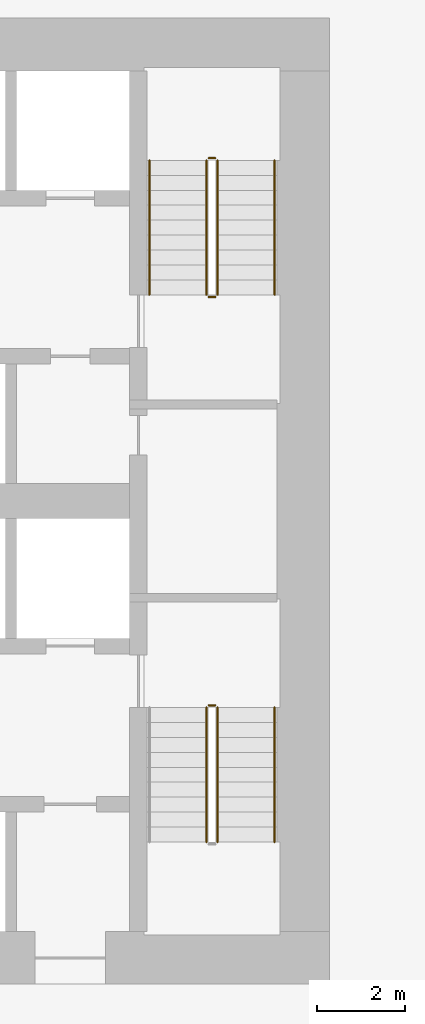
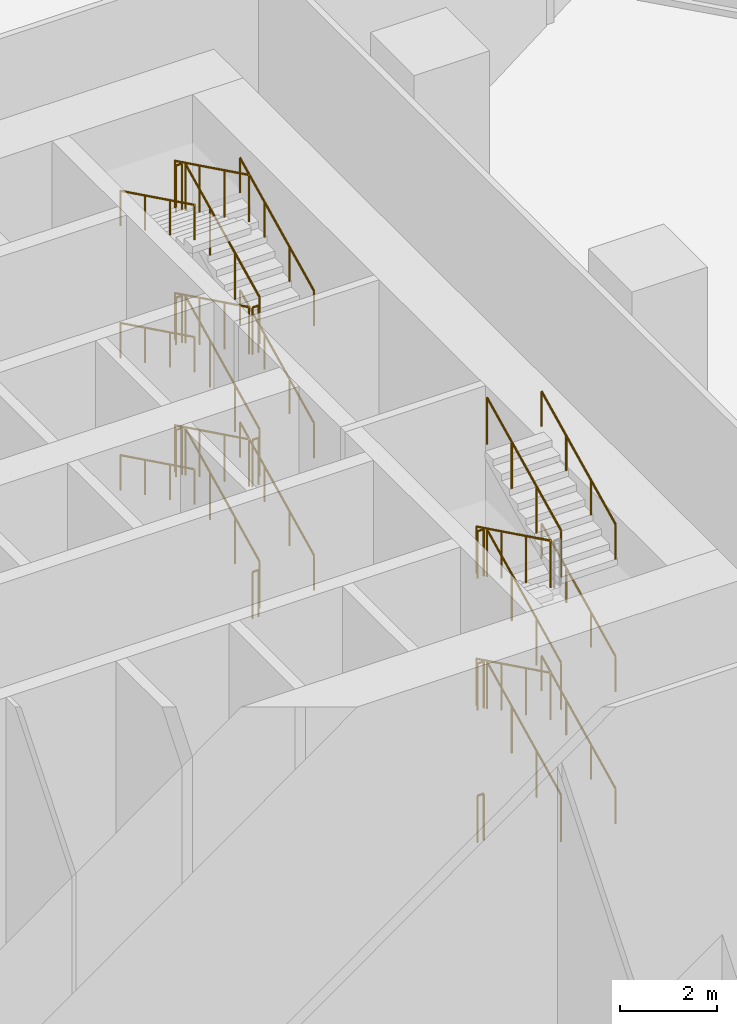
# One storey, part 21 of 21: 29 railings.
"""IFC4 building model written with IfcOpenShell, lengths in metres."""

from ifc_helpers import new_model, si_unit, direction, frame, origin, origin_2d, place, context, subcontext, project, spatial, circle, extrude, material, type_object, element, save


model = new_model("IFC4")

# Units and contexts
model_context = context("Model", 3, precision=1e-05, world=origin(), true_north=direction((0.0, 1.0)))
body_context = subcontext(model_context, "Body", "Model", "MODEL_VIEW")
ifc_project = project(units=[si_unit("LENGTHUNIT", "METRE"), si_unit("AREAUNIT", "SQUARE_METRE"), si_unit("VOLUMEUNIT", "CUBIC_METRE"), si_unit("PLANEANGLEUNIT", "RADIAN"), si_unit("MASSUNIT", "GRAM", prefix="KILO")], contexts=[model_context])

# Site, building, storey
site_placement = place(None, origin())
site = spatial("IfcSite", under=ifc_project, at=site_placement, CompositionType="ELEMENT")
building_placement = place(site_placement, origin())
building = spatial("IfcBuilding", under=site, at=building_placement, Name="Dongbaek Canopy Tower", CompositionType="ELEMENT")
storey_placement = place(building_placement, frame((0.0, 0.0, 9.0)))
storey = spatial("IfcBuildingStorey", under=building, at=storey_placement, Name="L01", CompositionType="ELEMENT", Elevation=9.0)

# Railings
ifc_material_1 = material(Name="Stainless steel tube and balusters", Category="steel")
railing_type_1 = type_object("IfcRailingType", Name="Stair guard 1200", PredefinedType="GUARDRAIL", material=ifc_material_1)
railing_1_placement = place(storey_placement, frame((11.449951171875, 4.699951171875, 0.166748046875)))
element("IfcRailing", 1, at=railing_1_placement, inside=storey, type_object=railing_type_1, Name="L01 ST-A stair guard 1", PredefinedType="GUARDRAIL", context=body_context, shape_type="SweptSolid", body=[
    extrude(circle(Radius=0.02392578125, at=origin_2d()), frame((0.0, 0.0, 1.17578125), z_axis=(0.0, 0.897924053718, 0.440150421736), x_axis=(-1.0, 0.0, 0.0)), (0.0, 0.0, 1.0), 3.407958984375),
    extrude(circle(Radius=0.02099609375, at=origin_2d()), origin(), (0.0, 0.0, 1.0), 1.15185546875),
    extrude(circle(Radius=0.02099609375, at=origin_2d()), frame((0.0, 1.02001953125, 0.5)), (0.0, 0.0, 1.0), 1.15185546875),
    extrude(circle(Radius=0.02099609375, at=origin_2d()), frame((0.0, 2.0400390625, 1.0)), (0.0, 0.0, 1.0), 1.15185546875),
    extrude(circle(Radius=0.02099609375, at=origin_2d()), frame((0.0, 3.06005859375, 1.5)), (0.0, 0.0, 1.0), 1.15185546875),
])
railing_2_placement = place(storey_placement, frame((11.39990234375, 7.81005859375, 1.666748046875)))
element("IfcRailing", 2, at=railing_2_placement, inside=storey, type_object=railing_type_1, Name="L01 ST-A stair guard 2", PredefinedType="GUARDRAIL", context=body_context, shape_type="SweptSolid", body=[
    extrude(circle(Radius=0.02392578125, at=origin_2d()), frame((0.0, 0.0, 1.17578125), z_axis=(-1.0, 0.0, 0.0), x_axis=(0.0, -1.0, 0.0)), (0.0, 0.0, 1.0), 0.14990234375),
    extrude(circle(Radius=0.02099609375, at=origin_2d()), origin(), (0.0, 0.0, 1.0), 1.15185546875),
    extrude(circle(Radius=0.02099609375, at=origin_2d()), frame((-0.14990234375, 0.0, 0.0)), (0.0, 0.0, 1.0), 1.15185546875),
])
railing_3_placement = place(storey_placement, frame((11.199951171875, 7.760009765625, 1.833251953125)))
element("IfcRailing", 3, at=railing_3_placement, inside=storey, type_object=railing_type_1, Name="L01 ST-A stair guard 3", PredefinedType="GUARDRAIL", context=body_context, shape_type="SweptSolid", body=[
    extrude(circle(Radius=0.02392578125, at=origin_2d()), frame((0.0, 0.0, 1.17578125), z_axis=(0.0, -0.897924053718, 0.440150421736), x_axis=(1.0, 0.0, 0.0)), (0.0, 0.0, 1.0), 3.407958984375),
    extrude(circle(Radius=0.02099609375, at=origin_2d()), origin(), (0.0, 0.0, 1.0), 1.15185546875),
    extrude(circle(Radius=0.02099609375, at=origin_2d()), frame((0.0, -1.02001953125, 0.5)), (0.0, 0.0, 1.0), 1.15185546875),
    extrude(circle(Radius=0.02099609375, at=origin_2d()), frame((0.0, -2.0400390625, 1.0)), (0.0, 0.0, 1.0), 1.15185546875),
    extrude(circle(Radius=0.02099609375, at=origin_2d()), frame((0.0, -3.06005859375, 1.5)), (0.0, 0.0, 1.0), 1.15185546875),
])
railing_4_placement = place(storey_placement, frame((11.39990234375, 4.64990234375, 3.333251953125)))
element("IfcRailing", 4, at=railing_4_placement, inside=storey, type_object=railing_type_1, Name="L01 ST-A stair guard 4", PredefinedType="GUARDRAIL", context=body_context, shape_type="SweptSolid", body=[
    extrude(circle(Radius=0.02392578125, at=origin_2d()), frame((0.0, 0.0, 1.17578125), z_axis=(-1.0, 0.0, 0.0), x_axis=(0.0, -1.0, 0.0)), (0.0, 0.0, 1.0), 0.14990234375),
    extrude(circle(Radius=0.02099609375, at=origin_2d()), origin(), (0.0, 0.0, 1.0), 1.15185546875),
    extrude(circle(Radius=0.02099609375, at=origin_2d()), frame((-0.14990234375, 0.0, 0.0)), (0.0, 0.0, 1.0), 1.15185546875),
])
railing_5_placement = place(storey_placement, frame((11.449951171875, 4.699951171875, 3.5)))
element("IfcRailing", 5, at=railing_5_placement, inside=storey, type_object=railing_type_1, Name="L01 ST-A stair guard 5", PredefinedType="GUARDRAIL", context=body_context, shape_type="SweptSolid", body=[
    extrude(circle(Radius=0.02392578125, at=origin_2d()), frame((0.0, 0.0, 1.17578125), z_axis=(0.0, 0.897924053718, 0.440150421736), x_axis=(-1.0, 0.0, 0.0)), (0.0, 0.0, 1.0), 3.407958984375),
    extrude(circle(Radius=0.02099609375, at=origin_2d()), origin(), (0.0, 0.0, 1.0), 1.15185546875),
    extrude(circle(Radius=0.02099609375, at=origin_2d()), frame((0.0, 1.02001953125, 0.5)), (0.0, 0.0, 1.0), 1.15185546875),
    extrude(circle(Radius=0.02099609375, at=origin_2d()), frame((0.0, 2.0400390625, 1.0)), (0.0, 0.0, 1.0), 1.15185546875),
    extrude(circle(Radius=0.02099609375, at=origin_2d()), frame((0.0, 3.06005859375, 1.5)), (0.0, 0.0, 1.0), 1.15185546875),
])
railing_6_placement = place(storey_placement, frame((11.39990234375, 7.81005859375, 5.0)))
element("IfcRailing", 6, at=railing_6_placement, inside=storey, type_object=railing_type_1, Name="L01 ST-A stair guard 6", PredefinedType="GUARDRAIL", context=body_context, shape_type="SweptSolid", body=[
    extrude(circle(Radius=0.02392578125, at=origin_2d()), frame((0.0, 0.0, 1.17578125), z_axis=(-1.0, 0.0, 0.0), x_axis=(0.0, -1.0, 0.0)), (0.0, 0.0, 1.0), 0.14990234375),
    extrude(circle(Radius=0.02099609375, at=origin_2d()), origin(), (0.0, 0.0, 1.0), 1.15185546875),
    extrude(circle(Radius=0.02099609375, at=origin_2d()), frame((-0.14990234375, 0.0, 0.0)), (0.0, 0.0, 1.0), 1.15185546875),
])
railing_7_placement = place(storey_placement, frame((11.199951171875, 7.760009765625, 5.166748046875)))
element("IfcRailing", 7, at=railing_7_placement, inside=storey, type_object=railing_type_1, Name="L01 ST-A stair guard 7", PredefinedType="GUARDRAIL", context=body_context, shape_type="SweptSolid", body=[
    extrude(circle(Radius=0.02392578125, at=origin_2d()), frame((0.0, 0.0, 1.17578125), z_axis=(0.0, -0.897924053718, 0.440150421736), x_axis=(1.0, 0.0, 0.0)), (0.0, 0.0, 1.0), 3.407958984375),
    extrude(circle(Radius=0.02099609375, at=origin_2d()), origin(), (0.0, 0.0, 1.0), 1.15185546875),
    extrude(circle(Radius=0.02099609375, at=origin_2d()), frame((0.0, -1.02001953125, 0.5)), (0.0, 0.0, 1.0), 1.15185546875),
    extrude(circle(Radius=0.02099609375, at=origin_2d()), frame((0.0, -2.0400390625, 1.0)), (0.0, 0.0, 1.0), 1.15185546875),
    extrude(circle(Radius=0.02099609375, at=origin_2d()), frame((0.0, -3.06005859375, 1.5)), (0.0, 0.0, 1.0), 1.15185546875),
])
railing_8_placement = place(storey_placement, frame((11.39990234375, 4.64990234375, 6.666748046875)))
element("IfcRailing", 8, at=railing_8_placement, inside=storey, type_object=railing_type_1, Name="L01 ST-A stair guard 8", PredefinedType="GUARDRAIL", context=body_context, shape_type="SweptSolid", body=[
    extrude(circle(Radius=0.02392578125, at=origin_2d()), frame((0.0, 0.0, 1.17578125), z_axis=(-1.0, 0.0, 0.0), x_axis=(0.0, -1.0, 0.0)), (0.0, 0.0, 1.0), 0.14990234375),
    extrude(circle(Radius=0.02099609375, at=origin_2d()), origin(), (0.0, 0.0, 1.0), 1.15185546875),
    extrude(circle(Radius=0.02099609375, at=origin_2d()), frame((-0.14990234375, 0.0, 0.0)), (0.0, 0.0, 1.0), 1.15185546875),
])
railing_9_placement = place(storey_placement, frame((11.449951171875, 4.699951171875, 6.833251953125)))
element("IfcRailing", 9, at=railing_9_placement, inside=storey, type_object=railing_type_1, Name="L01 ST-A stair guard 9", PredefinedType="GUARDRAIL", context=body_context, shape_type="SweptSolid", body=[
    extrude(circle(Radius=0.02392578125, at=origin_2d()), frame((0.0, 0.0, 1.17578125), z_axis=(0.0, 0.897924053718, 0.440150421736), x_axis=(-1.0, 0.0, 0.0)), (0.0, 0.0, 1.0), 3.407958984375),
    extrude(circle(Radius=0.02099609375, at=origin_2d()), origin(), (0.0, 0.0, 1.0), 1.15185546875),
    extrude(circle(Radius=0.02099609375, at=origin_2d()), frame((0.0, 1.02001953125, 0.5)), (0.0, 0.0, 1.0), 1.15185546875),
    extrude(circle(Radius=0.02099609375, at=origin_2d()), frame((0.0, 2.0400390625, 1.0)), (0.0, 0.0, 1.0), 1.15185546875),
    extrude(circle(Radius=0.02099609375, at=origin_2d()), frame((0.0, 3.06005859375, 1.5)), (0.0, 0.0, 1.0), 1.15185546875),
])
railing_10_placement = place(storey_placement, frame((11.39990234375, 7.81005859375, 8.333251953125)))
element("IfcRailing", 10, at=railing_10_placement, inside=storey, type_object=railing_type_1, Name="L01 ST-A stair guard 10", PredefinedType="GUARDRAIL", context=body_context, shape_type="SweptSolid", body=[
    extrude(circle(Radius=0.02392578125, at=origin_2d()), frame((0.0, 0.0, 1.17578125), z_axis=(-1.0, 0.0, 0.0), x_axis=(0.0, -1.0, 0.0)), (0.0, 0.0, 1.0), 0.14990234375),
    extrude(circle(Radius=0.02099609375, at=origin_2d()), origin(), (0.0, 0.0, 1.0), 1.15185546875),
    extrude(circle(Radius=0.02099609375, at=origin_2d()), frame((-0.14990234375, 0.0, 0.0)), (0.0, 0.0, 1.0), 1.15185546875),
])
railing_11_placement = place(storey_placement, frame((11.199951171875, 7.760009765625, 8.5)))
element("IfcRailing", 11, at=railing_11_placement, inside=storey, type_object=railing_type_1, Name="L01 ST-A stair guard 11", PredefinedType="GUARDRAIL", context=body_context, shape_type="SweptSolid", body=[
    extrude(circle(Radius=0.02392578125, at=origin_2d()), frame((0.0, 0.0, 1.17578125), z_axis=(0.0, -0.897924053718, 0.440150421736), x_axis=(1.0, 0.0, 0.0)), (0.0, 0.0, 1.0), 3.407958984375),
    extrude(circle(Radius=0.02099609375, at=origin_2d()), origin(), (0.0, 0.0, 1.0), 1.15185546875),
    extrude(circle(Radius=0.02099609375, at=origin_2d()), frame((0.0, -1.02001953125, 0.5)), (0.0, 0.0, 1.0), 1.15185546875),
    extrude(circle(Radius=0.02099609375, at=origin_2d()), frame((0.0, -2.0400390625, 1.0)), (0.0, 0.0, 1.0), 1.15185546875),
    extrude(circle(Radius=0.02099609375, at=origin_2d()), frame((0.0, -3.06005859375, 1.5)), (0.0, 0.0, 1.0), 1.15185546875),
])
railing_12_placement = place(storey_placement, frame((11.39990234375, 4.64990234375, 0.0)))
element("IfcRailing", 12, at=railing_12_placement, inside=storey, type_object=railing_type_1, Name="L01 ST-A stair guard 12", PredefinedType="GUARDRAIL", context=body_context, shape_type="SweptSolid", body=[
    extrude(circle(Radius=0.02392578125, at=origin_2d()), frame((0.0, 0.0, 1.17578125), z_axis=(-1.0, 0.0, 0.0), x_axis=(0.0, -1.0, 0.0)), (0.0, 0.0, 1.0), 0.14990234375),
    extrude(circle(Radius=0.02099609375, at=origin_2d()), origin(), (0.0, 0.0, 1.0), 1.15185546875),
    extrude(circle(Radius=0.02099609375, at=origin_2d()), frame((-0.14990234375, 0.0, 0.0)), (0.0, 0.0, 1.0), 1.15185546875),
])
railing_13_placement = place(storey_placement, frame((11.449951171875, -7.760009765625, 1.833251953125)))
element("IfcRailing", 13, at=railing_13_placement, inside=storey, type_object=railing_type_1, Name="L01 ST-B stair guard 3", PredefinedType="GUARDRAIL", context=body_context, shape_type="SweptSolid", body=[
    extrude(circle(Radius=0.02392578125, at=origin_2d()), frame((0.0, 0.0, 1.17578125), z_axis=(0.0, 0.897924053718, 0.440150421736), x_axis=(-1.0, 0.0, 0.0)), (0.0, 0.0, 1.0), 3.407958984375),
    extrude(circle(Radius=0.02099609375, at=origin_2d()), origin(), (0.0, 0.0, 1.0), 1.15185546875),
    extrude(circle(Radius=0.02099609375, at=origin_2d()), frame((0.0, 1.02001953125, 0.5)), (0.0, 0.0, 1.0), 1.15185546875),
    extrude(circle(Radius=0.02099609375, at=origin_2d()), frame((0.0, 2.0400390625, 1.0)), (0.0, 0.0, 1.0), 1.15185546875),
    extrude(circle(Radius=0.02099609375, at=origin_2d()), frame((0.0, 3.06005859375, 1.5)), (0.0, 0.0, 1.0), 1.15185546875),
])
railing_14_placement = place(storey_placement, frame((11.25, -4.64990234375, 3.333251953125)))
element("IfcRailing", 14, at=railing_14_placement, inside=storey, type_object=railing_type_1, Name="L01 ST-B stair guard 4", PredefinedType="GUARDRAIL", context=body_context, shape_type="SweptSolid", body=[
    extrude(circle(Radius=0.02392578125, at=origin_2d()), frame((0.0, 0.0, 1.17578125), z_axis=(1.0, 0.0, 0.0), x_axis=(0.0, 1.0, 0.0)), (0.0, 0.0, 1.0), 0.14990234375),
    extrude(circle(Radius=0.02099609375, at=origin_2d()), origin(), (0.0, 0.0, 1.0), 1.15185546875),
    extrude(circle(Radius=0.02099609375, at=origin_2d()), frame((0.14990234375, 0.0, 0.0)), (0.0, 0.0, 1.0), 1.15185546875),
])
railing_15_placement = place(storey_placement, frame((11.199951171875, -4.699951171875, 3.5)))
element("IfcRailing", 15, at=railing_15_placement, inside=storey, type_object=railing_type_1, Name="L01 ST-B stair guard 5", PredefinedType="GUARDRAIL", context=body_context, shape_type="SweptSolid", body=[
    extrude(circle(Radius=0.02392578125, at=origin_2d()), frame((0.0, 0.0, 1.17578125), z_axis=(0.0, -0.897924053718, 0.440150421736), x_axis=(1.0, 0.0, 0.0)), (0.0, 0.0, 1.0), 3.407958984375),
    extrude(circle(Radius=0.02099609375, at=origin_2d()), origin(), (0.0, 0.0, 1.0), 1.15185546875),
    extrude(circle(Radius=0.02099609375, at=origin_2d()), frame((0.0, -1.02001953125, 0.5)), (0.0, 0.0, 1.0), 1.15185546875),
    extrude(circle(Radius=0.02099609375, at=origin_2d()), frame((0.0, -2.0400390625, 1.0)), (0.0, 0.0, 1.0), 1.15185546875),
    extrude(circle(Radius=0.02099609375, at=origin_2d()), frame((0.0, -3.06005859375, 1.5)), (0.0, 0.0, 1.0), 1.15185546875),
])
railing_16_placement = place(storey_placement, frame((11.449951171875, -7.760009765625, 5.166748046875)))
element("IfcRailing", 16, at=railing_16_placement, inside=storey, type_object=railing_type_1, Name="L01 ST-B stair guard 7", PredefinedType="GUARDRAIL", context=body_context, shape_type="SweptSolid", body=[
    extrude(circle(Radius=0.02392578125, at=origin_2d()), frame((0.0, 0.0, 1.17578125), z_axis=(0.0, 0.897924053718, 0.440150421736), x_axis=(-1.0, 0.0, 0.0)), (0.0, 0.0, 1.0), 3.407958984375),
    extrude(circle(Radius=0.02099609375, at=origin_2d()), origin(), (0.0, 0.0, 1.0), 1.15185546875),
    extrude(circle(Radius=0.02099609375, at=origin_2d()), frame((0.0, 1.02001953125, 0.5)), (0.0, 0.0, 1.0), 1.15185546875),
    extrude(circle(Radius=0.02099609375, at=origin_2d()), frame((0.0, 2.0400390625, 1.0)), (0.0, 0.0, 1.0), 1.15185546875),
    extrude(circle(Radius=0.02099609375, at=origin_2d()), frame((0.0, 3.06005859375, 1.5)), (0.0, 0.0, 1.0), 1.15185546875),
])
railing_17_placement = place(storey_placement, frame((11.25, -4.64990234375, 6.666748046875)))
element("IfcRailing", 17, at=railing_17_placement, inside=storey, type_object=railing_type_1, Name="L01 ST-B stair guard 8", PredefinedType="GUARDRAIL", context=body_context, shape_type="SweptSolid", body=[
    extrude(circle(Radius=0.02392578125, at=origin_2d()), frame((0.0, 0.0, 1.17578125), z_axis=(1.0, 0.0, 0.0), x_axis=(0.0, 1.0, 0.0)), (0.0, 0.0, 1.0), 0.14990234375),
    extrude(circle(Radius=0.02099609375, at=origin_2d()), origin(), (0.0, 0.0, 1.0), 1.15185546875),
    extrude(circle(Radius=0.02099609375, at=origin_2d()), frame((0.14990234375, 0.0, 0.0)), (0.0, 0.0, 1.0), 1.15185546875),
])
railing_18_placement = place(storey_placement, frame((11.199951171875, -4.699951171875, 6.833251953125)))
element("IfcRailing", 18, at=railing_18_placement, inside=storey, type_object=railing_type_1, Name="L01 ST-B stair guard 9", PredefinedType="GUARDRAIL", context=body_context, shape_type="SweptSolid", body=[
    extrude(circle(Radius=0.02392578125, at=origin_2d()), frame((0.0, 0.0, 1.17578125), z_axis=(0.0, -0.897924053718, 0.440150421736), x_axis=(1.0, 0.0, 0.0)), (0.0, 0.0, 1.0), 3.407958984375),
    extrude(circle(Radius=0.02099609375, at=origin_2d()), origin(), (0.0, 0.0, 1.0), 1.15185546875),
    extrude(circle(Radius=0.02099609375, at=origin_2d()), frame((0.0, -1.02001953125, 0.5)), (0.0, 0.0, 1.0), 1.15185546875),
    extrude(circle(Radius=0.02099609375, at=origin_2d()), frame((0.0, -2.0400390625, 1.0)), (0.0, 0.0, 1.0), 1.15185546875),
    extrude(circle(Radius=0.02099609375, at=origin_2d()), frame((0.0, -3.06005859375, 1.5)), (0.0, 0.0, 1.0), 1.15185546875),
])
railing_19_placement = place(storey_placement, frame((11.449951171875, -7.760009765625, 8.5)))
element("IfcRailing", 19, at=railing_19_placement, inside=storey, type_object=railing_type_1, Name="L01 ST-B stair guard 11", PredefinedType="GUARDRAIL", context=body_context, shape_type="SweptSolid", body=[
    extrude(circle(Radius=0.02392578125, at=origin_2d()), frame((0.0, 0.0, 1.17578125), z_axis=(0.0, 0.897924053718, 0.440150421736), x_axis=(-1.0, 0.0, 0.0)), (0.0, 0.0, 1.0), 3.407958984375),
    extrude(circle(Radius=0.02099609375, at=origin_2d()), origin(), (0.0, 0.0, 1.0), 1.15185546875),
    extrude(circle(Radius=0.02099609375, at=origin_2d()), frame((0.0, 1.02001953125, 0.5)), (0.0, 0.0, 1.0), 1.15185546875),
    extrude(circle(Radius=0.02099609375, at=origin_2d()), frame((0.0, 2.0400390625, 1.0)), (0.0, 0.0, 1.0), 1.15185546875),
    extrude(circle(Radius=0.02099609375, at=origin_2d()), frame((0.0, 3.06005859375, 1.5)), (0.0, 0.0, 1.0), 1.15185546875),
])
railing_20_placement = place(storey_placement, frame((11.25, -4.64990234375, 0.0)))
element("IfcRailing", 20, at=railing_20_placement, inside=storey, type_object=railing_type_1, Name="L01 ST-B stair guard 12", PredefinedType="GUARDRAIL", context=body_context, shape_type="SweptSolid", body=[
    extrude(circle(Radius=0.02392578125, at=origin_2d()), frame((0.0, 0.0, 1.17578125), z_axis=(1.0, 0.0, 0.0), x_axis=(0.0, 1.0, 0.0)), (0.0, 0.0, 1.0), 0.14990234375),
    extrude(circle(Radius=0.02099609375, at=origin_2d()), origin(), (0.0, 0.0, 1.0), 1.15185546875),
    extrude(circle(Radius=0.02099609375, at=origin_2d()), frame((0.14990234375, 0.0, 0.0)), (0.0, 0.0, 1.0), 1.15185546875),
])
ifc_material_2 = material(Name="Stainless steel tube", Category="steel")
railing_type_2 = type_object("IfcRailingType", Name="Stair handrail 900", PredefinedType="HANDRAIL", material=ifc_material_2)
railing_21_placement = place(storey_placement, frame((12.75, 4.699951171875, 0.166748046875)))
element("IfcRailing", 21, at=railing_21_placement, inside=storey, type_object=railing_type_2, Name="L01 ST-A stair handrail 1", PredefinedType="HANDRAIL", context=body_context, shape_type="SweptSolid", body=[
    extrude(circle(Radius=0.02392578125, at=origin_2d()), frame((0.0, 0.0, 0.8759765625), z_axis=(0.0, 0.897924053718, 0.440150421736), x_axis=(-1.0, 0.0, 0.0)), (0.0, 0.0, 1.0), 3.407958984375),
    extrude(circle(Radius=0.02099609375, at=origin_2d()), origin(), (0.0, 0.0, 1.0), 0.851806640625),
    extrude(circle(Radius=0.02099609375, at=origin_2d()), frame((0.0, 1.02001953125, 0.5)), (0.0, 0.0, 1.0), 0.851806640625),
    extrude(circle(Radius=0.02099609375, at=origin_2d()), frame((0.0, 2.0400390625, 1.0)), (0.0, 0.0, 1.0), 0.851806640625),
    extrude(circle(Radius=0.02099609375, at=origin_2d()), frame((0.0, 3.06005859375, 1.5)), (0.0, 0.0, 1.0), 0.851806640625),
])
railing_22_placement = place(storey_placement, frame((9.89990234375, 7.760009765625, 1.833251953125)))
element("IfcRailing", 22, at=railing_22_placement, inside=storey, type_object=railing_type_2, Name="L01 ST-A stair handrail 2", PredefinedType="HANDRAIL", context=body_context, shape_type="SweptSolid", body=[
    extrude(circle(Radius=0.02392578125, at=origin_2d()), frame((0.0, 0.0, 0.8759765625), z_axis=(0.0, -0.897924053718, 0.440150421736), x_axis=(1.0, 0.0, 0.0)), (0.0, 0.0, 1.0), 3.407958984375),
    extrude(circle(Radius=0.02099609375, at=origin_2d()), origin(), (0.0, 0.0, 1.0), 0.851806640625),
    extrude(circle(Radius=0.02099609375, at=origin_2d()), frame((0.0, -1.02001953125, 0.5)), (0.0, 0.0, 1.0), 0.851806640625),
    extrude(circle(Radius=0.02099609375, at=origin_2d()), frame((0.0, -2.0400390625, 1.0)), (0.0, 0.0, 1.0), 0.851806640625),
    extrude(circle(Radius=0.02099609375, at=origin_2d()), frame((0.0, -3.06005859375, 1.5)), (0.0, 0.0, 1.0), 0.851806640625),
])
railing_23_placement = place(storey_placement, frame((12.75, 4.699951171875, 3.5)))
element("IfcRailing", 23, at=railing_23_placement, inside=storey, type_object=railing_type_2, Name="L01 ST-A stair handrail 3", PredefinedType="HANDRAIL", context=body_context, shape_type="SweptSolid", body=[
    extrude(circle(Radius=0.02392578125, at=origin_2d()), frame((0.0, 0.0, 0.8759765625), z_axis=(0.0, 0.897924053718, 0.440150421736), x_axis=(-1.0, 0.0, 0.0)), (0.0, 0.0, 1.0), 3.407958984375),
    extrude(circle(Radius=0.02099609375, at=origin_2d()), origin(), (0.0, 0.0, 1.0), 0.851806640625),
    extrude(circle(Radius=0.02099609375, at=origin_2d()), frame((0.0, 1.02001953125, 0.5)), (0.0, 0.0, 1.0), 0.851806640625),
    extrude(circle(Radius=0.02099609375, at=origin_2d()), frame((0.0, 2.0400390625, 1.0)), (0.0, 0.0, 1.0), 0.851806640625),
    extrude(circle(Radius=0.02099609375, at=origin_2d()), frame((0.0, 3.06005859375, 1.5)), (0.0, 0.0, 1.0), 0.851806640625),
])
railing_24_placement = place(storey_placement, frame((9.89990234375, 7.760009765625, 5.166748046875)))
element("IfcRailing", 24, at=railing_24_placement, inside=storey, type_object=railing_type_2, Name="L01 ST-A stair handrail 4", PredefinedType="HANDRAIL", context=body_context, shape_type="SweptSolid", body=[
    extrude(circle(Radius=0.02392578125, at=origin_2d()), frame((0.0, 0.0, 0.8759765625), z_axis=(0.0, -0.897924053718, 0.440150421736), x_axis=(1.0, 0.0, 0.0)), (0.0, 0.0, 1.0), 3.407958984375),
    extrude(circle(Radius=0.02099609375, at=origin_2d()), origin(), (0.0, 0.0, 1.0), 0.851806640625),
    extrude(circle(Radius=0.02099609375, at=origin_2d()), frame((0.0, -1.02001953125, 0.5)), (0.0, 0.0, 1.0), 0.851806640625),
    extrude(circle(Radius=0.02099609375, at=origin_2d()), frame((0.0, -2.0400390625, 1.0)), (0.0, 0.0, 1.0), 0.851806640625),
    extrude(circle(Radius=0.02099609375, at=origin_2d()), frame((0.0, -3.06005859375, 1.5)), (0.0, 0.0, 1.0), 0.851806640625),
])
railing_25_placement = place(storey_placement, frame((12.75, 4.699951171875, 6.833251953125)))
element("IfcRailing", 25, at=railing_25_placement, inside=storey, type_object=railing_type_2, Name="L01 ST-A stair handrail 5", PredefinedType="HANDRAIL", context=body_context, shape_type="SweptSolid", body=[
    extrude(circle(Radius=0.02392578125, at=origin_2d()), frame((0.0, 0.0, 0.8759765625), z_axis=(0.0, 0.897924053718, 0.440150421736), x_axis=(-1.0, 0.0, 0.0)), (0.0, 0.0, 1.0), 3.407958984375),
    extrude(circle(Radius=0.02099609375, at=origin_2d()), origin(), (0.0, 0.0, 1.0), 0.851806640625),
    extrude(circle(Radius=0.02099609375, at=origin_2d()), frame((0.0, 1.02001953125, 0.5)), (0.0, 0.0, 1.0), 0.851806640625),
    extrude(circle(Radius=0.02099609375, at=origin_2d()), frame((0.0, 2.0400390625, 1.0)), (0.0, 0.0, 1.0), 0.851806640625),
    extrude(circle(Radius=0.02099609375, at=origin_2d()), frame((0.0, 3.06005859375, 1.5)), (0.0, 0.0, 1.0), 0.851806640625),
])
railing_26_placement = place(storey_placement, frame((9.89990234375, 7.760009765625, 8.5)))
element("IfcRailing", 26, at=railing_26_placement, inside=storey, type_object=railing_type_2, Name="L01 ST-A stair handrail 6", PredefinedType="HANDRAIL", context=body_context, shape_type="SweptSolid", body=[
    extrude(circle(Radius=0.02392578125, at=origin_2d()), frame((0.0, 0.0, 0.8759765625), z_axis=(0.0, -0.897924053718, 0.440150421736), x_axis=(1.0, 0.0, 0.0)), (0.0, 0.0, 1.0), 3.407958984375),
    extrude(circle(Radius=0.02099609375, at=origin_2d()), origin(), (0.0, 0.0, 1.0), 0.851806640625),
    extrude(circle(Radius=0.02099609375, at=origin_2d()), frame((0.0, -1.02001953125, 0.5)), (0.0, 0.0, 1.0), 0.851806640625),
    extrude(circle(Radius=0.02099609375, at=origin_2d()), frame((0.0, -2.0400390625, 1.0)), (0.0, 0.0, 1.0), 0.851806640625),
    extrude(circle(Radius=0.02099609375, at=origin_2d()), frame((0.0, -3.06005859375, 1.5)), (0.0, 0.0, 1.0), 0.851806640625),
])
for number, where, name in (
    (27, (12.75, -7.760009765625, 1.833251953125), "L01 ST-B stair handrail 2"),
    (28, (12.75, -7.760009765625, 5.166748046875), "L01 ST-B stair handrail 4"),
    (29, (12.75, -7.760009765625, 8.5), "L01 ST-B stair handrail 6"),
):
    element("IfcRailing", number, at=place(storey_placement, frame(where)), inside=storey, type_object=railing_type_2, Name=name, PredefinedType="HANDRAIL", context=body_context, shape_type="SweptSolid", body=[
        extrude(circle(Radius=0.02392578125, at=origin_2d()), frame((0.0, 0.0, 0.8759765625), z_axis=(0.0, 0.897924053718, 0.440150421736), x_axis=(-1.0, 0.0, 0.0)), (0.0, 0.0, 1.0), 3.407958984375),
        extrude(circle(Radius=0.02099609375, at=origin_2d()), origin(), (0.0, 0.0, 1.0), 0.851806640625),
        extrude(circle(Radius=0.02099609375, at=origin_2d()), frame((0.0, 1.02001953125, 0.5)), (0.0, 0.0, 1.0), 0.851806640625),
        extrude(circle(Radius=0.02099609375, at=origin_2d()), frame((0.0, 2.0400390625, 1.0)), (0.0, 0.0, 1.0), 0.851806640625),
        extrude(circle(Radius=0.02099609375, at=origin_2d()), frame((0.0, 3.06005859375, 1.5)), (0.0, 0.0, 1.0), 0.851806640625),
    ])

save(model, "model.ifc")
